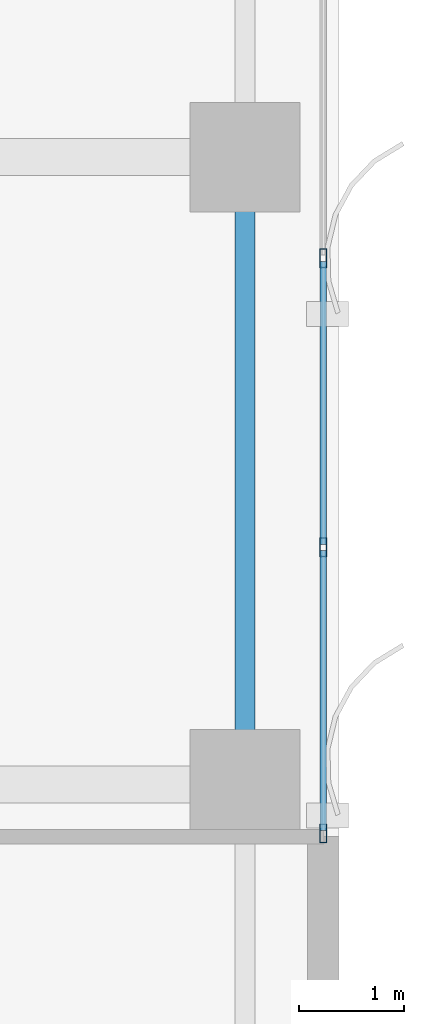
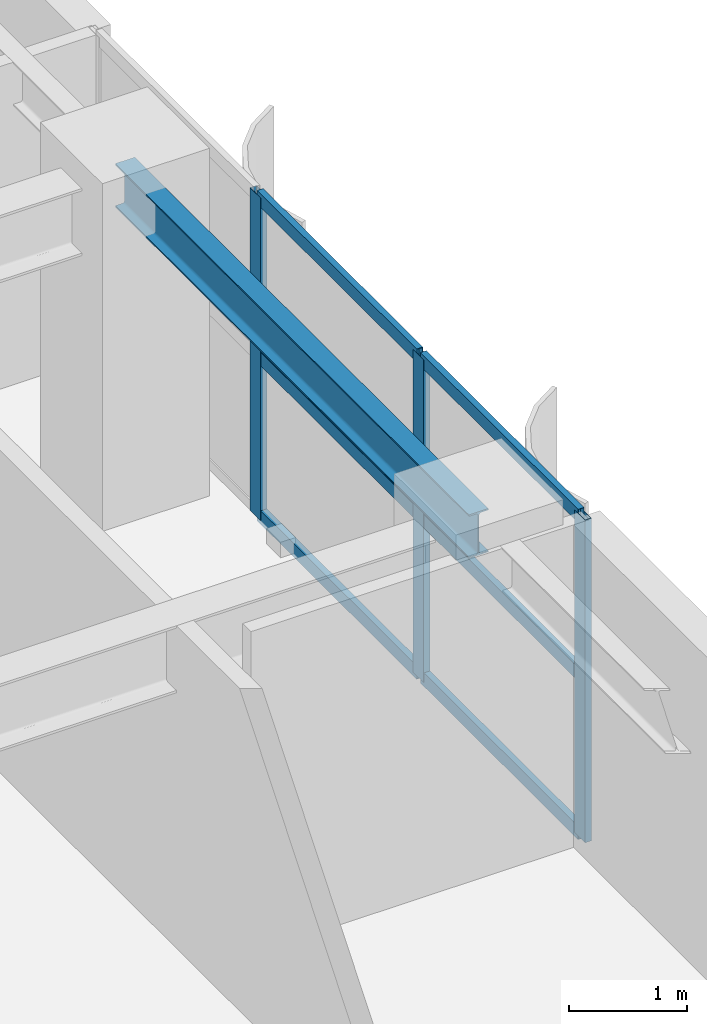
# One storey, part 6 of 22: 9 members, 1 beam, 1 element without a shape of its own.
"""IFC4 building model written with IfcOpenShell, lengths in metres."""

from ifc_helpers import new_model, si_unit, direction, frame, origin, origin_2d, place, context, subcontext, project, spatial, hollow_rectangle, i_section, extrude, source, transform, mapped, material, layer, layer_set, material_profile, profile_set, type_object, element, aggregate, save


model = new_model("IFC4")

# Units and contexts
model_context = context("Model", 3, precision=1e-05, world=origin(), true_north=direction((0.0, 1.0)))
body_context = subcontext(model_context, "Body", "Model", "MODEL_VIEW")
ifc_project = project(units=[si_unit("LENGTHUNIT", "METRE"), si_unit("AREAUNIT", "SQUARE_METRE"), si_unit("VOLUMEUNIT", "CUBIC_METRE"), si_unit("PLANEANGLEUNIT", "RADIAN"), si_unit("MASSUNIT", "GRAM", prefix="KILO")], contexts=[model_context])

# Site, building, storey
site_placement = place(None, origin())
site = spatial("IfcSite", under=ifc_project, at=site_placement, CompositionType="ELEMENT")
building_placement = place(site_placement, origin())
building = spatial("IfcBuilding", under=site, at=building_placement, Name="Khoralis Quay Care Tower", CompositionType="ELEMENT")
storey_placement = place(building_placement, frame((0.0, 0.0, 98.10009765625)))
storey = spatial("IfcBuildingStorey", under=building, at=storey_placement, Name="L25", CompositionType="ELEMENT", Elevation=98.10009765625)

# Beam
ifc_material_1 = material(Name="Steel S355", Category="steel")
ifc_material_profile_1 = material_profile(ifc_material_1, i_section(OverallWidth=0.18994140625, OverallDepth=0.449951171875, WebThickness=0.009521484375, FlangeThickness=0.0146484375, FilletRadius=0.02099609375, at=origin_2d()), Name="Steel S355")
ifc_profile_set_1 = profile_set([ifc_material_profile_1], Name="Steel S355")
beam_type = type_object("IfcBeamType", Name="BM-IPE450", PredefinedType="SPANDREL", material=ifc_profile_set_1)
shared_shape_1 = source(origin(), body_context, "Body", "SweptSolid", [
    extrude(i_section(OverallWidth=0.18994140625, OverallDepth=0.449951171875, WebThickness=0.009521484375, FlangeThickness=0.0146484375, FilletRadius=0.02099609375, at=origin_2d()), origin(), (0.0, 0.0, 1.0), 6.0),
])
beam_placement = place(storey_placement, frame((44.10009765625, 18.0, 3.114990234375), z_axis=(0.0, 1.0, 0.0), x_axis=(-1.0, 0.0, 0.0)))
element("IfcBeam", 1, at=beam_placement, inside=storey, type_object=beam_type, Name="BM-TSP-L25-18", PredefinedType="SPANDREL", context=body_context, shape_type="MappedRepresentation", body=[
    mapped(shared_shape_1, transform((0.0, 0.0, 0.0), scale=1.0)),
])

# Curtain wall, members
ifc_material_2 = material(Name="Pale anodised aluminium", Category="aluminium")
ifc_layer = layer(ifc_material_2, 0.169921875)
ifc_layer_set = layer_set([ifc_layer], Name="Pale anodised aluminium")
curtain_wall_type = type_object("IfcCurtainWallType", Name="CW-SYS-Z2", PredefinedType="NOTDEFINED", material=ifc_layer_set)
curtain_wall_placement = place(storey_placement, origin())
curtain_wall = element("IfcCurtainWall", 2, at=curtain_wall_placement, inside=storey, type_object=curtain_wall_type, Name="L25 Unitised Curtain Wall CW-L25-P1-E5", PredefinedType="NOTDEFINED")
ifc_material_profile_2 = material_profile(ifc_material_2, hollow_rectangle(XDim=0.06005859375, YDim=0.139892578125, WallThickness=0.00390625, at=origin_2d()), Name="Pale anodised aluminium")
ifc_profile_set_2 = profile_set([ifc_material_profile_2], Name="Pale anodised aluminium")
member_type_1 = type_object("IfcMemberType", Name="CW-TRN-140", PredefinedType="USERDEFINED", material=ifc_profile_set_2)
shared_shape_2 = source(origin(), body_context, "Body", "SweptSolid", [
    extrude(hollow_rectangle(XDim=0.06005859375, YDim=0.139892578125, WallThickness=0.00390625, at=origin_2d()), origin(), (0.0, 0.0, 1.0), 2.676513671875),
])
member_1_placement = place(storey_placement, frame((44.85009765625, 17.56005859375, 0.02978515625), z_axis=(0.0, 1.0, 0.0), x_axis=(-1.0, 0.0, 0.0)))
member_1 = element("IfcMember", 3, at=member_1_placement, type_object=member_type_1, Name="CW2 transom 1.1", ObjectType="TRANSOM", PredefinedType="USERDEFINED", context=body_context, shape_type="MappedRepresentation", body=[
    mapped(shared_shape_2, transform((0.0, 0.0, 0.0), scale=1.0)),
])
member_2_placement = place(storey_placement, frame((44.85009765625, 17.56005859375, 1.669921875), z_axis=(0.0, 1.0, 0.0), x_axis=(-1.0, 0.0, 0.0)))
member_2 = element("IfcMember", 4, at=member_2_placement, type_object=member_type_1, Name="CW2 transom 1.2", ObjectType="TRANSOM", PredefinedType="USERDEFINED", context=body_context, shape_type="MappedRepresentation", body=[
    mapped(shared_shape_2, transform((0.0, 0.0, 0.0), scale=1.0)),
])
member_3_placement = place(storey_placement, frame((44.85009765625, 17.56005859375, 3.309814453125), z_axis=(0.0, 1.0, 0.0), x_axis=(-1.0, 0.0, 0.0)))
member_3 = element("IfcMember", 5, at=member_3_placement, type_object=member_type_1, Name="CW2 transom 1.3", ObjectType="TRANSOM", PredefinedType="USERDEFINED", context=body_context, shape_type="MappedRepresentation", body=[
    mapped(shared_shape_2, transform((0.0, 0.0, 0.0), scale=1.0)),
])
ifc_material_profile_3 = material_profile(ifc_material_2, hollow_rectangle(XDim=0.06494140625, YDim=0.179931640625, WallThickness=0.00390625, at=origin_2d()), Name="Pale anodised aluminium")
ifc_profile_set_3 = profile_set([ifc_material_profile_3], Name="Pale anodised aluminium")
member_type_2 = type_object("IfcMemberType", Name="CW-MUL-180", PredefinedType="MULLION", material=ifc_profile_set_3)
shared_shape_3 = source(origin(), body_context, "Body", "SweptSolid", [
    extrude(hollow_rectangle(XDim=0.06494140625, YDim=0.179931640625, WallThickness=0.00390625, at=origin_2d()), origin(), (0.0, 0.0, 1.0), 3.33984375),
])
member_4_placement = place(storey_placement, frame((44.85009765625, 17.530029296875, 0.0), z_axis=(0.0, 0.0, 1.0), x_axis=(-1.0, 0.0, 0.0)))
member_4 = element("IfcMember", 6, at=member_4_placement, type_object=member_type_2, Name="CW2 mullion 1", PredefinedType="MULLION", context=body_context, shape_type="MappedRepresentation", body=[
    mapped(shared_shape_3, transform((0.0, 0.0, 0.0), scale=1.0)),
])
member_5_placement = place(storey_placement, frame((44.85009765625, 20.2666015625, 0.0), z_axis=(0.0, 0.0, 1.0), x_axis=(-1.0, 0.0, 0.0)))
member_5 = element("IfcMember", 7, at=member_5_placement, type_object=member_type_2, Name="CW2 mullion 2", PredefinedType="MULLION", context=body_context, shape_type="MappedRepresentation", body=[
    mapped(shared_shape_3, transform((0.0, 0.0, 0.0), scale=1.0)),
])
member_6_placement = place(storey_placement, frame((44.85009765625, 23.033447265625, 0.0), z_axis=(0.0, 0.0, 1.0), x_axis=(-1.0, 0.0, 0.0)))
member_6 = element("IfcMember", 8, at=member_6_placement, type_object=member_type_2, Name="CW2 mullion 3", PredefinedType="MULLION", context=body_context, shape_type="MappedRepresentation", body=[
    mapped(shared_shape_3, transform((0.0, 0.0, 0.0), scale=1.0)),
])
shared_shape_4 = source(origin(), body_context, "Body", "SweptSolid", [
    extrude(hollow_rectangle(XDim=0.06005859375, YDim=0.139892578125, WallThickness=0.00390625, at=origin_2d()), origin(), (0.0, 0.0, 1.0), 2.706787109375),
])
member_7_placement = place(storey_placement, frame((44.85009765625, 20.296630859375, 0.02978515625), z_axis=(0.0, 1.0, 0.0), x_axis=(-1.0, 0.0, 0.0)))
member_7 = element("IfcMember", 9, at=member_7_placement, type_object=member_type_1, Name="CW2 transom 2.1", ObjectType="TRANSOM", PredefinedType="USERDEFINED", context=body_context, shape_type="MappedRepresentation", body=[
    mapped(shared_shape_4, transform((0.0, 0.0, 0.0), scale=1.0)),
])
member_8_placement = place(storey_placement, frame((44.85009765625, 20.296630859375, 1.669921875), z_axis=(0.0, 1.0, 0.0), x_axis=(-1.0, 0.0, 0.0)))
member_8 = element("IfcMember", 10, at=member_8_placement, type_object=member_type_1, Name="CW2 transom 2.2", ObjectType="TRANSOM", PredefinedType="USERDEFINED", context=body_context, shape_type="MappedRepresentation", body=[
    mapped(shared_shape_4, transform((0.0, 0.0, 0.0), scale=1.0)),
])
member_9_placement = place(storey_placement, frame((44.85009765625, 20.296630859375, 3.309814453125), z_axis=(0.0, 1.0, 0.0), x_axis=(-1.0, 0.0, 0.0)))
member_9 = element("IfcMember", 11, at=member_9_placement, type_object=member_type_1, Name="CW2 transom 2.3", ObjectType="TRANSOM", PredefinedType="USERDEFINED", context=body_context, shape_type="MappedRepresentation", body=[
    mapped(shared_shape_4, transform((0.0, 0.0, 0.0), scale=1.0)),
])
aggregate(curtain_wall, [member_4, member_5, member_6, member_1, member_2, member_3, member_7, member_8, member_9])

save(model, "model.ifc")
